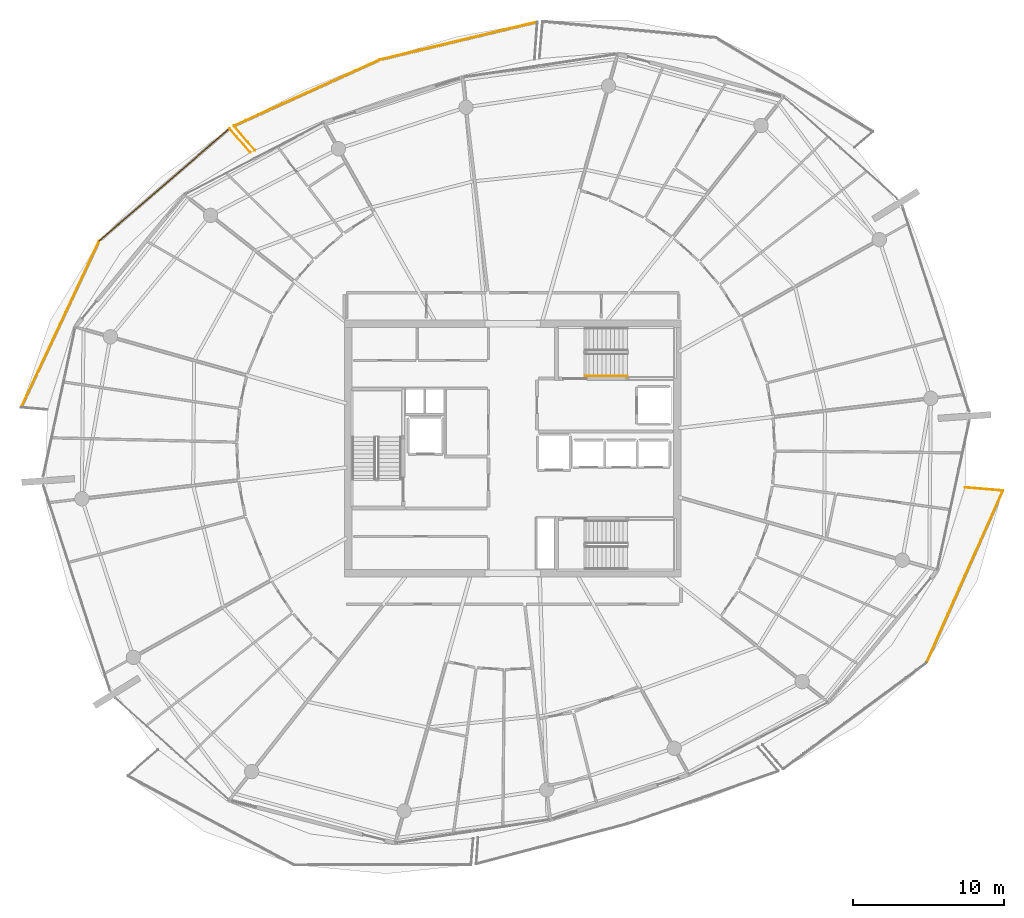
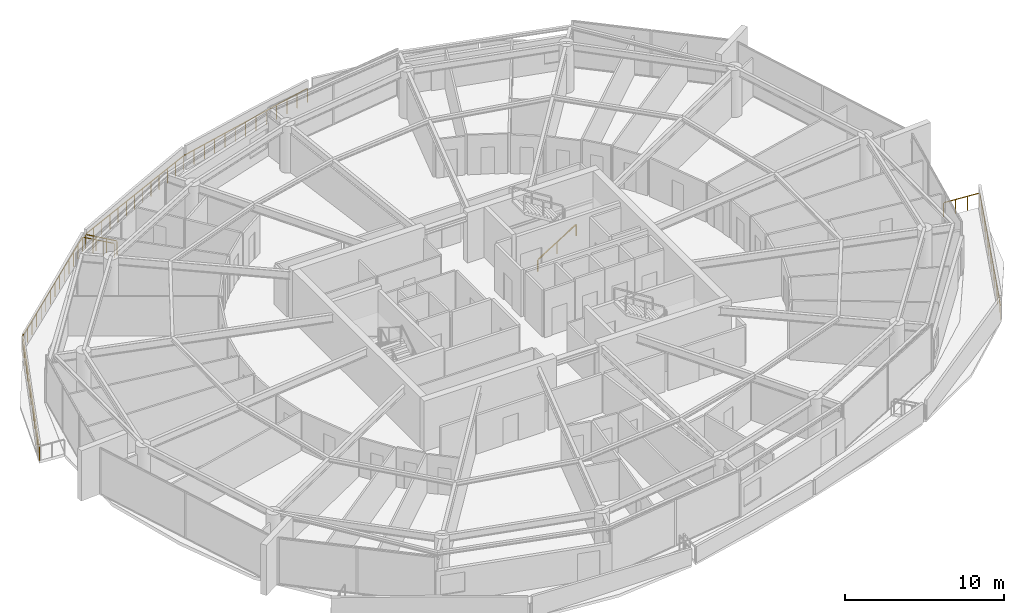
# One storey, part 28 of 30: 9 railings.
"""IFC4 building model written with IfcOpenShell, lengths in metres."""

from ifc_helpers import new_model, si_unit, direction, frame, origin, origin_2d, place, context, subcontext, project, spatial, rectangle, extrude, material, type_object, element, save


model = new_model("IFC4")

# Units and contexts
model_context = context("Model", 3, precision=1e-05, world=origin(), true_north=direction((0.0, 1.0)))
body_context = subcontext(model_context, "Body", "Model", "MODEL_VIEW")
ifc_project = project(units=[si_unit("LENGTHUNIT", "METRE"), si_unit("AREAUNIT", "SQUARE_METRE"), si_unit("VOLUMEUNIT", "CUBIC_METRE"), si_unit("PLANEANGLEUNIT", "RADIAN"), si_unit("MASSUNIT", "GRAM", prefix="KILO")], contexts=[model_context])

# Site, building, storey
site_placement = place(None, origin())
site = spatial("IfcSite", under=ifc_project, at=site_placement, CompositionType="ELEMENT")
building_placement = place(site_placement, origin())
building = spatial("IfcBuilding", under=site, at=building_placement, Name="Kazma Halo Residences", CompositionType="ELEMENT")
storey_placement = place(building_placement, frame((0.0, 0.0, 279.050048828125)))
storey = spatial("IfcBuildingStorey", under=building, at=storey_placement, Name="L70", CompositionType="ELEMENT", Elevation=279.050048828125)

# Railings
ifc_material_1 = material(Name="Aluminium AW-6063 T6 Brushed Cap Rail", Category="aluminium")
railing_type_1 = type_object("IfcRailingType", Name="RLG-BAL-CAP-1120", PredefinedType="BALUSTRADE", material=ifc_material_1)
railing_1_placement = place(storey_placement, frame((50.047607421875, 70.219482421875, 0.0)))
element("IfcRailing", 1, at=railing_1_placement, inside=storey, type_object=railing_type_1, Name="L70 NNW wave balcony guard 2", PredefinedType="BALUSTRADE", context=body_context, shape_type="SweptSolid", body=[
    extrude(rectangle(XDim=0.050048828125, YDim=0.050048828125, at=origin_2d()), frame((-0.041259765625, -0.010009765625, 1.09521484375), z_axis=(-0.972324307013, -0.233635275573, 0.0), x_axis=(0.233635275573, -0.972324307013, 0.0)), (0.0, 0.0, 1.0), 10.615234375),
    extrude(rectangle(XDim=0.0400390625, YDim=0.0400390625, at=origin_2d()), origin(), (0.0, 0.0, 1.0), 1.05810546875),
    extrude(rectangle(XDim=0.0400390625, YDim=0.0400390625, at=origin_2d()), frame((-0.866943359375, -0.208251953125, 0.0)), (0.0, 0.0, 1.0), 1.05810546875),
    extrude(rectangle(XDim=0.0400390625, YDim=0.0400390625, at=origin_2d()), frame((-1.734130859375, -0.416748046875, 0.0)), (0.0, 0.0, 1.0), 1.05810546875),
    extrude(rectangle(XDim=0.0400390625, YDim=0.0400390625, at=origin_2d()), frame((-2.60107421875, -0.625, 0.0)), (0.0, 0.0, 1.0), 1.05810546875),
    extrude(rectangle(XDim=0.0400390625, YDim=0.0400390625, at=origin_2d()), frame((-3.468017578125, -0.833251953125, 0.0)), (0.0, 0.0, 1.0), 1.05810546875),
    extrude(rectangle(XDim=0.0400390625, YDim=0.0400390625, at=origin_2d()), frame((-4.335205078125, -1.041748046875, 0.0)), (0.0, 0.0, 1.0), 1.05810546875),
    extrude(rectangle(XDim=0.0400390625, YDim=0.0400390625, at=origin_2d()), frame((-5.2021484375, -1.25, 0.0)), (0.0, 0.0, 1.0), 1.05810546875),
    extrude(rectangle(XDim=0.0400390625, YDim=0.0400390625, at=origin_2d()), frame((-6.069091796875, -1.458251953125, 0.0)), (0.0, 0.0, 1.0), 1.05810546875),
    extrude(rectangle(XDim=0.0400390625, YDim=0.0400390625, at=origin_2d()), frame((-6.936279296875, -1.666748046875, 0.0)), (0.0, 0.0, 1.0), 1.05810546875),
    extrude(rectangle(XDim=0.0400390625, YDim=0.0400390625, at=origin_2d()), frame((-7.80322265625, -1.875, 0.0)), (0.0, 0.0, 1.0), 1.05810546875),
    extrude(rectangle(XDim=0.0400390625, YDim=0.0400390625, at=origin_2d()), frame((-8.670166015625, -2.083251953125, 0.0)), (0.0, 0.0, 1.0), 1.05810546875),
    extrude(rectangle(XDim=0.0400390625, YDim=0.0400390625, at=origin_2d()), frame((-9.537353515625, -2.291748046875, 0.0)), (0.0, 0.0, 1.0), 1.05810546875),
    extrude(rectangle(XDim=0.0400390625, YDim=0.0400390625, at=origin_2d()), frame((-10.404296875, -2.5, 0.0)), (0.0, 0.0, 1.0), 1.05810546875),
])
railing_2_placement = place(storey_placement, frame((39.643310546875, 67.719482421875, 0.0)))
element("IfcRailing", 2, at=railing_2_placement, inside=storey, type_object=railing_type_1, Name="L70 NNW wave balcony guard 3", PredefinedType="BALUSTRADE", context=body_context, shape_type="SweptSolid", body=[
    extrude(rectangle(XDim=0.050048828125, YDim=0.050048828125, at=origin_2d()), frame((-0.038818359375, -0.017578125, 1.09521484375), z_axis=(-0.910908594926, -0.412608206039, 0.0), x_axis=(0.412608206039, -0.910908594926, 0.0)), (0.0, 0.0, 1.0), 10.510498046875),
    extrude(rectangle(XDim=0.0400390625, YDim=0.0400390625, at=origin_2d()), origin(), (0.0, 0.0, 1.0), 1.05810546875),
    extrude(rectangle(XDim=0.0400390625, YDim=0.0400390625, at=origin_2d()), frame((-0.80419921875, -0.3642578125, 0.0)), (0.0, 0.0, 1.0), 1.05810546875),
    extrude(rectangle(XDim=0.0400390625, YDim=0.0400390625, at=origin_2d()), frame((-1.608642578125, -0.728515625, 0.0)), (0.0, 0.0, 1.0), 1.05810546875),
    extrude(rectangle(XDim=0.0400390625, YDim=0.0400390625, at=origin_2d()), frame((-2.412841796875, -1.093017578125, 0.0)), (0.0, 0.0, 1.0), 1.05810546875),
    extrude(rectangle(XDim=0.0400390625, YDim=0.0400390625, at=origin_2d()), frame((-3.21728515625, -1.457275390625, 0.0)), (0.0, 0.0, 1.0), 1.05810546875),
    extrude(rectangle(XDim=0.0400390625, YDim=0.0400390625, at=origin_2d()), frame((-4.021484375, -1.821533203125, 0.0)), (0.0, 0.0, 1.0), 1.05810546875),
    extrude(rectangle(XDim=0.0400390625, YDim=0.0400390625, at=origin_2d()), frame((-4.82568359375, -2.18603515625, 0.0)), (0.0, 0.0, 1.0), 1.05810546875),
    extrude(rectangle(XDim=0.0400390625, YDim=0.0400390625, at=origin_2d()), frame((-5.630126953125, -2.55029296875, 0.0)), (0.0, 0.0, 1.0), 1.05810546875),
    extrude(rectangle(XDim=0.0400390625, YDim=0.0400390625, at=origin_2d()), frame((-6.434326171875, -2.91455078125, 0.0)), (0.0, 0.0, 1.0), 1.05810546875),
    extrude(rectangle(XDim=0.0400390625, YDim=0.0400390625, at=origin_2d()), frame((-7.23876953125, -3.27880859375, 0.0)), (0.0, 0.0, 1.0), 1.05810546875),
    extrude(rectangle(XDim=0.0400390625, YDim=0.0400390625, at=origin_2d()), frame((-8.04296875, -3.64306640625, 0.0)), (0.0, 0.0, 1.0), 1.05810546875),
    extrude(rectangle(XDim=0.0400390625, YDim=0.0400390625, at=origin_2d()), frame((-8.847412109375, -4.007568359375, 0.0)), (0.0, 0.0, 1.0), 1.05810546875),
    extrude(rectangle(XDim=0.0400390625, YDim=0.0400390625, at=origin_2d()), frame((-9.651611328125, -4.371826171875, 0.0)), (0.0, 0.0, 1.0), 1.05810546875),
])
railing_3_placement = place(storey_placement, frame((29.99169921875, 63.34765625, 0.0)))
element("IfcRailing", 3, at=railing_3_placement, inside=storey, type_object=railing_type_1, Name="L70 NNW wave balcony guard 4", PredefinedType="BALUSTRADE", context=body_context, shape_type="SweptSolid", body=[
    extrude(rectangle(XDim=0.050048828125, YDim=0.050048828125, at=origin_2d()), frame((0.02734375, -0.032470703125, 1.09521484375), z_axis=(0.64483932972, -0.764318152896, 0.0), x_axis=(0.764318152896, 0.64483932972, 0.0)), (0.0, 0.0, 1.0), 2.02978515625),
    extrude(rectangle(XDim=0.0400390625, YDim=0.0400390625, at=origin_2d()), origin(), (0.0, 0.0, 1.0), 1.05810546875),
    extrude(rectangle(XDim=0.0400390625, YDim=0.0400390625, at=origin_2d()), frame((0.45458984375, -0.538818359375, 0.0)), (0.0, 0.0, 1.0), 1.05810546875),
    extrude(rectangle(XDim=0.0400390625, YDim=0.0400390625, at=origin_2d()), frame((0.9091796875, -1.07763671875, 0.0)), (0.0, 0.0, 1.0), 1.05810546875),
    extrude(rectangle(XDim=0.0400390625, YDim=0.0400390625, at=origin_2d()), frame((1.36376953125, -1.616455078125, 0.0)), (0.0, 0.0, 1.0), 1.05810546875),
])
railing_4_placement = place(storey_placement, frame((31.06787109375, 61.58154296875, 0.0)))
element("IfcRailing", 4, at=railing_4_placement, inside=storey, type_object=railing_type_1, Name="L70 NW wave balcony guard 1", PredefinedType="BALUSTRADE", context=body_context, shape_type="SweptSolid", body=[
    extrude(rectangle(XDim=0.050048828125, YDim=0.050048828125, at=origin_2d()), frame((-0.02783203125, 0.0322265625, 1.09521484375), z_axis=(-0.654115991231, 0.756394255674, 0.0), x_axis=(-0.756394255674, -0.654115991231, 0.0)), (0.0, 0.0, 1.0), 2.015380859375),
    extrude(rectangle(XDim=0.0400390625, YDim=0.0400390625, at=origin_2d()), origin(), (0.0, 0.0, 1.0), 1.05810546875),
    extrude(rectangle(XDim=0.0400390625, YDim=0.0400390625, at=origin_2d()), frame((-0.4580078125, 0.529541015625, 0.0)), (0.0, 0.0, 1.0), 1.05810546875),
    extrude(rectangle(XDim=0.0400390625, YDim=0.0400390625, at=origin_2d()), frame((-0.916015625, 1.059326171875, 0.0)), (0.0, 0.0, 1.0), 1.05810546875),
    extrude(rectangle(XDim=0.0400390625, YDim=0.0400390625, at=origin_2d()), frame((-1.3740234375, 1.5888671875, 0.0)), (0.0, 0.0, 1.0), 1.05810546875),
])
railing_5_placement = place(storey_placement, frame((29.69384765625, 63.17041015625, 0.0)))
element("IfcRailing", 5, at=railing_5_placement, inside=storey, type_object=railing_type_1, Name="L70 NW wave balcony guard 2", PredefinedType="BALUSTRADE", context=body_context, shape_type="SweptSolid", body=[
    extrude(rectangle(XDim=0.050048828125, YDim=0.050048828125, at=origin_2d()), frame((-0.0322265625, -0.02783203125, 1.09521484375), z_axis=(-0.757187471417, -0.653197621803, 0.0), x_axis=(0.653197621803, -0.757187471417, 0.0)), (0.0, 0.0, 1.0), 11.313232421875),
    extrude(rectangle(XDim=0.0400390625, YDim=0.0400390625, at=origin_2d()), origin(), (0.0, 0.0, 1.0), 1.05810546875),
    extrude(rectangle(XDim=0.0400390625, YDim=0.0400390625, at=origin_2d()), frame((-0.663818359375, -0.57275390625, 0.0)), (0.0, 0.0, 1.0), 1.05810546875),
    extrude(rectangle(XDim=0.0400390625, YDim=0.0400390625, at=origin_2d()), frame((-1.327880859375, -1.1455078125, 0.0)), (0.0, 0.0, 1.0), 1.05810546875),
    extrude(rectangle(XDim=0.0400390625, YDim=0.0400390625, at=origin_2d()), frame((-1.99169921875, -1.71826171875, 0.0)), (0.0, 0.0, 1.0), 1.05810546875),
    extrude(rectangle(XDim=0.0400390625, YDim=0.0400390625, at=origin_2d()), frame((-2.655517578125, -2.290771484375, 0.0)), (0.0, 0.0, 1.0), 1.05810546875),
    extrude(rectangle(XDim=0.0400390625, YDim=0.0400390625, at=origin_2d()), frame((-3.319580078125, -2.863525390625, 0.0)), (0.0, 0.0, 1.0), 1.05810546875),
    extrude(rectangle(XDim=0.0400390625, YDim=0.0400390625, at=origin_2d()), frame((-3.9833984375, -3.436279296875, 0.0)), (0.0, 0.0, 1.0), 1.05810546875),
    extrude(rectangle(XDim=0.0400390625, YDim=0.0400390625, at=origin_2d()), frame((-4.647216796875, -4.009033203125, 0.0)), (0.0, 0.0, 1.0), 1.05810546875),
    extrude(rectangle(XDim=0.0400390625, YDim=0.0400390625, at=origin_2d()), frame((-5.31103515625, -4.581787109375, 0.0)), (0.0, 0.0, 1.0), 1.05810546875),
    extrude(rectangle(XDim=0.0400390625, YDim=0.0400390625, at=origin_2d()), frame((-5.97509765625, -5.154541015625, 0.0)), (0.0, 0.0, 1.0), 1.05810546875),
    extrude(rectangle(XDim=0.0400390625, YDim=0.0400390625, at=origin_2d()), frame((-6.638916015625, -5.72705078125, 0.0)), (0.0, 0.0, 1.0), 1.05810546875),
    extrude(rectangle(XDim=0.0400390625, YDim=0.0400390625, at=origin_2d()), frame((-7.302734375, -6.2998046875, 0.0)), (0.0, 0.0, 1.0), 1.05810546875),
    extrude(rectangle(XDim=0.0400390625, YDim=0.0400390625, at=origin_2d()), frame((-7.966796875, -6.87255859375, 0.0)), (0.0, 0.0, 1.0), 1.05810546875),
    extrude(rectangle(XDim=0.0400390625, YDim=0.0400390625, at=origin_2d()), frame((-8.630615234375, -7.4453125, 0.0)), (0.0, 0.0, 1.0), 1.05810546875),
])
railing_6_placement = place(storey_placement, frame((21.063232421875, 55.72509765625, 0.0)))
element("IfcRailing", 6, at=railing_6_placement, inside=storey, type_object=railing_type_1, Name="L70 NW wave balcony guard 3", PredefinedType="BALUSTRADE", context=body_context, shape_type="SweptSolid", body=[
    extrude(rectangle(XDim=0.050048828125, YDim=0.050048828125, at=origin_2d()), frame((-0.01806640625, -0.03857421875, 1.09521484375), z_axis=(-0.424183132305, -0.905576429832, 0.0), x_axis=(0.905576429832, -0.424183132305, 0.0)), (0.0, 0.0, 1.0), 12.064208984375),
    extrude(rectangle(XDim=0.0400390625, YDim=0.0400390625, at=origin_2d()), origin(), (0.0, 0.0, 1.0), 1.05810546875),
    extrude(rectangle(XDim=0.0400390625, YDim=0.0400390625, at=origin_2d()), frame((-0.3681640625, -0.785888671875, 0.0)), (0.0, 0.0, 1.0), 1.05810546875),
    extrude(rectangle(XDim=0.0400390625, YDim=0.0400390625, at=origin_2d()), frame((-0.736328125, -1.57177734375, 0.0)), (0.0, 0.0, 1.0), 1.05810546875),
    extrude(rectangle(XDim=0.0400390625, YDim=0.0400390625, at=origin_2d()), frame((-1.104248046875, -2.357666015625, 0.0)), (0.0, 0.0, 1.0), 1.05810546875),
    extrude(rectangle(XDim=0.0400390625, YDim=0.0400390625, at=origin_2d()), frame((-1.472412109375, -3.1435546875, 0.0)), (0.0, 0.0, 1.0), 1.05810546875),
    extrude(rectangle(XDim=0.0400390625, YDim=0.0400390625, at=origin_2d()), frame((-1.840576171875, -3.929443359375, 0.0)), (0.0, 0.0, 1.0), 1.05810546875),
    extrude(rectangle(XDim=0.0400390625, YDim=0.0400390625, at=origin_2d()), frame((-2.208740234375, -4.71533203125, 0.0)), (0.0, 0.0, 1.0), 1.05810546875),
    extrude(rectangle(XDim=0.0400390625, YDim=0.0400390625, at=origin_2d()), frame((-2.57666015625, -5.5009765625, 0.0)), (0.0, 0.0, 1.0), 1.05810546875),
    extrude(rectangle(XDim=0.0400390625, YDim=0.0400390625, at=origin_2d()), frame((-2.94482421875, -6.286865234375, 0.0)), (0.0, 0.0, 1.0), 1.05810546875),
    extrude(rectangle(XDim=0.0400390625, YDim=0.0400390625, at=origin_2d()), frame((-3.31298828125, -7.07275390625, 0.0)), (0.0, 0.0, 1.0), 1.05810546875),
    extrude(rectangle(XDim=0.0400390625, YDim=0.0400390625, at=origin_2d()), frame((-3.68115234375, -7.858642578125, 0.0)), (0.0, 0.0, 1.0), 1.05810546875),
    extrude(rectangle(XDim=0.0400390625, YDim=0.0400390625, at=origin_2d()), frame((-4.04931640625, -8.64453125, 0.0)), (0.0, 0.0, 1.0), 1.05810546875),
    extrude(rectangle(XDim=0.0400390625, YDim=0.0400390625, at=origin_2d()), frame((-4.417236328125, -9.430419921875, 0.0)), (0.0, 0.0, 1.0), 1.05810546875),
    extrude(rectangle(XDim=0.0400390625, YDim=0.0400390625, at=origin_2d()), frame((-4.785400390625, -10.21630859375, 0.0)), (0.0, 0.0, 1.0), 1.05810546875),
    extrude(rectangle(XDim=0.0400390625, YDim=0.0400390625, at=origin_2d()), frame((-5.153564453125, -11.002197265625, 0.0)), (0.0, 0.0, 1.0), 1.05810546875),
])
railing_7_placement = place(storey_placement, frame((75.79296875, 27.8388671875, 0.0)))
element("IfcRailing", 7, at=railing_7_placement, inside=storey, type_object=railing_type_1, Name="L70 SE wave balcony guard 3", PredefinedType="BALUSTRADE", context=body_context, shape_type="SweptSolid", body=[
    extrude(rectangle(XDim=0.050048828125, YDim=0.050048828125, at=origin_2d()), frame((0.017333984375, 0.038818359375, 1.09521484375), z_axis=(0.405326368951, 0.914172048705, 0.0), x_axis=(-0.914172048705, 0.405326368951, 0.0)), (0.0, 0.0, 1.0), 12.35791015625),
    extrude(rectangle(XDim=0.0400390625, YDim=0.0400390625, at=origin_2d()), origin(), (0.0, 0.0, 1.0), 1.05810546875),
    extrude(rectangle(XDim=0.0400390625, YDim=0.0400390625, at=origin_2d()), frame((0.3603515625, 0.8125, 0.0)), (0.0, 0.0, 1.0), 1.05810546875),
    extrude(rectangle(XDim=0.0400390625, YDim=0.0400390625, at=origin_2d()), frame((0.720458984375, 1.625, 0.0)), (0.0, 0.0, 1.0), 1.05810546875),
    extrude(rectangle(XDim=0.0400390625, YDim=0.0400390625, at=origin_2d()), frame((1.080810546875, 2.4375, 0.0)), (0.0, 0.0, 1.0), 1.05810546875),
    extrude(rectangle(XDim=0.0400390625, YDim=0.0400390625, at=origin_2d()), frame((1.44091796875, 3.25, 0.0)), (0.0, 0.0, 1.0), 1.05810546875),
    extrude(rectangle(XDim=0.0400390625, YDim=0.0400390625, at=origin_2d()), frame((1.80126953125, 4.0625, 0.0)), (0.0, 0.0, 1.0), 1.05810546875),
    extrude(rectangle(XDim=0.0400390625, YDim=0.0400390625, at=origin_2d()), frame((2.161376953125, 4.875, 0.0)), (0.0, 0.0, 1.0), 1.05810546875),
    extrude(rectangle(XDim=0.0400390625, YDim=0.0400390625, at=origin_2d()), frame((2.521728515625, 5.6875, 0.0)), (0.0, 0.0, 1.0), 1.05810546875),
    extrude(rectangle(XDim=0.0400390625, YDim=0.0400390625, at=origin_2d()), frame((2.882080078125, 6.5, 0.0)), (0.0, 0.0, 1.0), 1.05810546875),
    extrude(rectangle(XDim=0.0400390625, YDim=0.0400390625, at=origin_2d()), frame((3.2421875, 7.3125, 0.0)), (0.0, 0.0, 1.0), 1.05810546875),
    extrude(rectangle(XDim=0.0400390625, YDim=0.0400390625, at=origin_2d()), frame((3.6025390625, 8.125, 0.0)), (0.0, 0.0, 1.0), 1.05810546875),
    extrude(rectangle(XDim=0.0400390625, YDim=0.0400390625, at=origin_2d()), frame((3.962646484375, 8.9375, 0.0)), (0.0, 0.0, 1.0), 1.05810546875),
    extrude(rectangle(XDim=0.0400390625, YDim=0.0400390625, at=origin_2d()), frame((4.322998046875, 9.75, 0.0)), (0.0, 0.0, 1.0), 1.05810546875),
    extrude(rectangle(XDim=0.0400390625, YDim=0.0400390625, at=origin_2d()), frame((4.68310546875, 10.5625, 0.0)), (0.0, 0.0, 1.0), 1.05810546875),
    extrude(rectangle(XDim=0.0400390625, YDim=0.0400390625, at=origin_2d()), frame((5.04345703125, 11.375, 0.0)), (0.0, 0.0, 1.0), 1.05810546875),
])
railing_8_placement = place(storey_placement, frame((80.83642578125, 39.2138671875, 0.0)))
element("IfcRailing", 8, at=railing_8_placement, inside=storey, type_object=railing_type_1, Name="L70 SE wave balcony guard 4", PredefinedType="BALUSTRADE", context=body_context, shape_type="SweptSolid", body=[
    extrude(rectangle(XDim=0.050048828125, YDim=0.050048828125, at=origin_2d()), frame((-0.04248046875, 0.003662109375, 1.09521484375), z_axis=(-0.996420486685, 0.084535280881, 0.0), x_axis=(-0.084535280881, -0.996420486685, 0.0)), (0.0, 0.0, 1.0), 2.41015625),
    extrude(rectangle(XDim=0.0400390625, YDim=0.0400390625, at=origin_2d()), origin(), (0.0, 0.0, 1.0), 1.05810546875),
    extrude(rectangle(XDim=0.0400390625, YDim=0.0400390625, at=origin_2d()), frame((-0.828857421875, 0.0703125, 0.0)), (0.0, 0.0, 1.0), 1.05810546875),
    extrude(rectangle(XDim=0.0400390625, YDim=0.0400390625, at=origin_2d()), frame((-1.657470703125, 0.140625, 0.0)), (0.0, 0.0, 1.0), 1.05810546875),
    extrude(rectangle(XDim=0.0400390625, YDim=0.0400390625, at=origin_2d()), frame((-2.486328125, 0.2109375, 0.0)), (0.0, 0.0, 1.0), 1.05810546875),
])
ifc_material_2 = material(Name="Brushed Stainless Steel", Category="steel")
railing_type_2 = type_object("IfcRailingType", Name="RLG-STAIR-HND-900", PredefinedType="HANDRAIL", material=ifc_material_2)
railing_9_placement = place(storey_placement, frame((53.199951171875, 46.800048828125, 0.175048828125)))
element("IfcRailing", 9, at=railing_9_placement, inside=storey, type_object=railing_type_2, Name="L70 ST-02 stair handrail 1", PredefinedType="HANDRAIL", context=body_context, shape_type="SweptSolid", body=[
    extrude(rectangle(XDim=0.050048828125, YDim=0.050048828125, at=origin_2d()), frame((0.0361328125, 0.0, 0.8974609375), z_axis=(0.848002457836, 0.0, 0.529992293815), x_axis=(0.0, 1.0, 0.0)), (0.0, 0.0, 1.0), 3.216796875),
    extrude(rectangle(XDim=0.0400390625, YDim=0.0400390625, at=origin_2d()), origin(), (0.0, 0.0, 1.0), 0.837890625),
    extrude(rectangle(XDim=0.0400390625, YDim=0.0400390625, at=origin_2d()), frame((1.39990234375, 0.0, 0.875)), (0.0, 0.0, 1.0), 0.837890625),
    extrude(rectangle(XDim=0.0400390625, YDim=0.0400390625, at=origin_2d()), frame((2.800048828125, 0.0, 1.75)), (0.0, 0.0, 1.0), 0.837890625),
])

save(model, "model.ifc")
